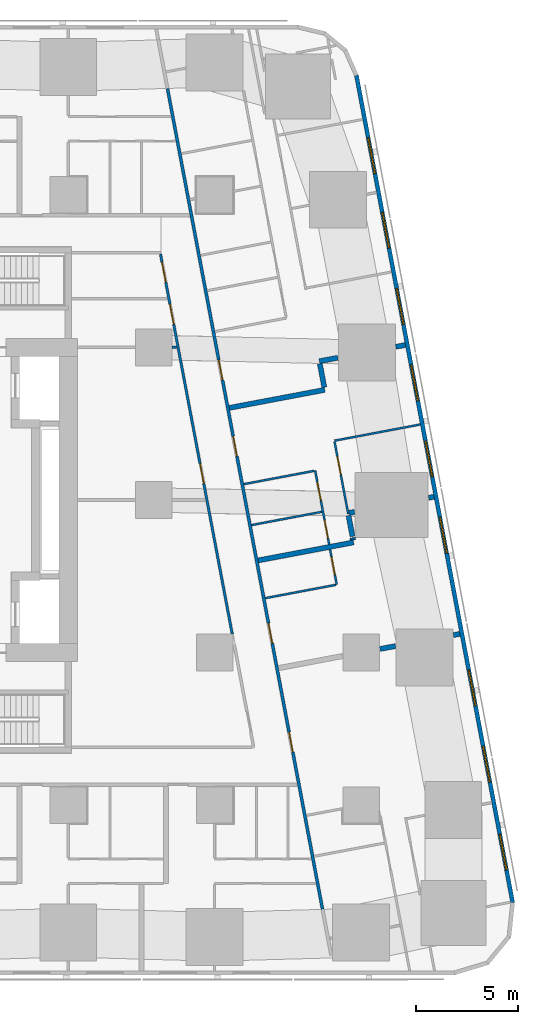
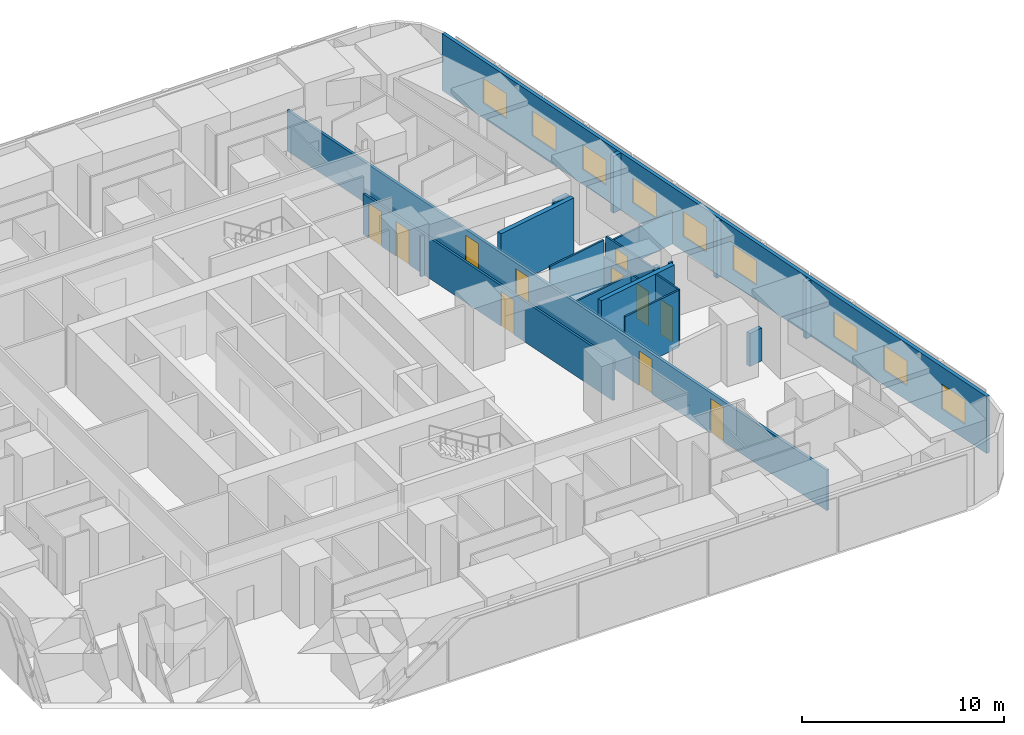
# One storey, part 7 of 15: 22 walls, 11 doors, 9 windows, 20 openings.
"""IFC4 building model written with IfcOpenShell, lengths in metres."""

from ifc_helpers import new_model, si_unit, direction, frame, frame_2d, origin, place, context, subcontext, project, spatial, rectangle, extrude, material, layer, layer_set, type_object, element, fill, save


model = new_model("IFC4")

# Units and contexts
model_context = context("Model", 3, precision=1e-05, world=origin(), true_north=direction((0.0, 1.0)))
body_context = subcontext(model_context, "Body", "Model", "MODEL_VIEW")
ifc_project = project(units=[si_unit("LENGTHUNIT", "METRE"), si_unit("AREAUNIT", "SQUARE_METRE"), si_unit("VOLUMEUNIT", "CUBIC_METRE"), si_unit("PLANEANGLEUNIT", "RADIAN"), si_unit("MASSUNIT", "GRAM", prefix="KILO")], contexts=[model_context])

# Site, building, storey
site_placement = place(None, origin())
site = spatial("IfcSite", under=ifc_project, at=site_placement, CompositionType="ELEMENT")
building_placement = place(site_placement, origin())
building = spatial("IfcBuilding", under=site, at=building_placement, Name="Sheger Commons Tower", CompositionType="ELEMENT")
storey_placement = place(building_placement, frame((0.0, 0.0, 68.75)))
storey = spatial("IfcBuildingStorey", under=building, at=storey_placement, Name="L17", CompositionType="ELEMENT", Elevation=68.75)

# Wall, openings, doors
ifc_material_1 = material(Name="Hollow concrete block masonry, skimmed both sides", Category="masonry")
ifc_layer_1 = layer(ifc_material_1, 0.14990234375)
ifc_layer_set_1 = layer_set([ifc_layer_1], Name="CORRIDOR WALL 150")
wall_type_1 = type_object("IfcWallType", Name="CORRIDOR WALL 150", PredefinedType="SOLIDWALL", material=ifc_layer_set_1)
wall_1_placement = place(storey_placement, frame((33.679931640625, 42.722900390625, 0.0), z_axis=(0.0, 0.0, 1.0), x_axis=(0.185624129307, -0.98262082342, 0.0)))
wall_1 = element("IfcWall", 1, at=wall_1_placement, inside=storey, type_object=wall_type_1, Name="Corridor wall L17", PredefinedType="SOLIDWALL", context=body_context, shape_type="SweptSolid", body=[
    extrude(rectangle(XDim=41.05126953125, YDim=0.14990234375, at=frame_2d((20.525634765625, 0.0))), origin(), (0.0, 0.0, 1.0), 2.449951171875),
])
opening_1_placement = place(wall_1_placement, frame((13.576904296875, 0.0, 0.0)))
opening_1 = element("IfcOpeningElement", 2, at=opening_1_placement, cuts=wall_1, Name="Opening D1", PredefinedType="OPENING", context=body_context, shape_type="SweptSolid", body=[
    extrude(rectangle(XDim=1.0, YDim=2.10009765625, at=frame_2d((0.5, 1.050048828125))), frame((0.0, 0.0849609375, 0.0), z_axis=(0.0, -1.0, 0.0), x_axis=(1.0, 0.0, 0.0)), (0.0, 0.0, 1.0), 0.169921875),
])
opening_2_placement = place(wall_1_placement, frame((17.39404296875, 0.0, 0.0)))
opening_2 = element("IfcOpeningElement", 3, at=opening_2_placement, cuts=wall_1, Name="Opening D1", PredefinedType="OPENING", context=body_context, shape_type="SweptSolid", body=[
    extrude(rectangle(XDim=1.0, YDim=2.10009765625, at=frame_2d((0.5, 1.050048828125))), frame((0.0, 0.0849609375, 0.0), z_axis=(0.0, -1.0, 0.0), x_axis=(1.0, 0.0, 0.0)), (0.0, 0.0, 1.0), 0.169921875),
])
opening_3_placement = place(wall_1_placement, frame((26.758056640625, 0.0, 0.0)))
opening_3 = element("IfcOpeningElement", 4, at=opening_3_placement, cuts=wall_1, Name="Opening D1", PredefinedType="OPENING", context=body_context, shape_type="SweptSolid", body=[
    extrude(rectangle(XDim=1.0, YDim=2.10009765625, at=frame_2d((0.5, 1.050048828125))), frame((0.0, 0.0849609375, 0.0), z_axis=(0.0, -1.0, 0.0), x_axis=(1.0, 0.0, 0.0)), (0.0, 0.0, 1.0), 0.169921875),
])
opening_4_placement = place(wall_1_placement, frame((32.193115234375, 0.0, 0.0)))
opening_4 = element("IfcOpeningElement", 5, at=opening_4_placement, cuts=wall_1, Name="Opening D1", PredefinedType="OPENING", context=body_context, shape_type="SweptSolid", body=[
    extrude(rectangle(XDim=1.0, YDim=2.10009765625, at=frame_2d((0.5, 1.050048828125))), frame((0.0, 0.0849609375, 0.0), z_axis=(0.0, -1.0, 0.0), x_axis=(1.0, 0.0, 0.0)), (0.0, 0.0, 1.0), 0.169921875),
])
ifc_material_2 = material(Name="Steel door set, fire rated", Category="steel")
door_type_1 = type_object("IfcDoorType", Name="FLAT ENTRANCE DOOR 1000x2100", OperationType="NOTDEFINED", PredefinedType="DOOR", material=ifc_material_2)
door_1_placement = place(opening_1_placement, origin())
door_1 = element("IfcDoor", 6, at=door_1_placement, inside=storey, type_object=door_type_1, Name="Flat entrance door", OperationType="SINGLE_SWING_LEFT", OverallHeight=2.10009765625, OverallWidth=1.0, PredefinedType="DOOR", context=body_context, shape_type="SweptSolid", body=[
    extrude(rectangle(XDim=1.0, YDim=2.10009765625, at=frame_2d((0.5, 1.050048828125))), frame((0.0, 0.02490234375, 0.0), z_axis=(0.0, -1.0, 0.0), x_axis=(1.0, 0.0, 0.0)), (0.0, 0.0, 1.0), 0.050048828125),
])
fill(opening_1, door_1)
door_2_placement = place(opening_2_placement, origin())
door_2 = element("IfcDoor", 7, at=door_2_placement, inside=storey, type_object=door_type_1, Name="Flat entrance door", OperationType="SINGLE_SWING_LEFT", OverallHeight=2.10009765625, OverallWidth=1.0, PredefinedType="DOOR", context=body_context, shape_type="SweptSolid", body=[
    extrude(rectangle(XDim=1.0, YDim=2.10009765625, at=frame_2d((0.5, 1.050048828125))), frame((0.0, 0.02490234375, 0.0), z_axis=(0.0, -1.0, 0.0), x_axis=(1.0, 0.0, 0.0)), (0.0, 0.0, 1.0), 0.050048828125),
])
fill(opening_2, door_2)
door_3_placement = place(opening_3_placement, origin())
door_3 = element("IfcDoor", 8, at=door_3_placement, inside=storey, type_object=door_type_1, Name="Flat entrance door", OperationType="SINGLE_SWING_RIGHT", OverallHeight=2.10009765625, OverallWidth=1.0, PredefinedType="DOOR", context=body_context, shape_type="SweptSolid", body=[
    extrude(rectangle(XDim=1.0, YDim=2.10009765625, at=frame_2d((0.5, 1.050048828125))), frame((0.0, 0.02490234375, 0.0), z_axis=(0.0, -1.0, 0.0), x_axis=(1.0, 0.0, 0.0)), (0.0, 0.0, 1.0), 0.050048828125),
])
fill(opening_3, door_3)
door_4_placement = place(opening_4_placement, origin())
door_4 = element("IfcDoor", 9, at=door_4_placement, inside=storey, type_object=door_type_1, Name="Flat entrance door", OperationType="SINGLE_SWING_RIGHT", OverallHeight=2.10009765625, OverallWidth=1.0, PredefinedType="DOOR", context=body_context, shape_type="SweptSolid", body=[
    extrude(rectangle(XDim=1.0, YDim=2.10009765625, at=frame_2d((0.5, 1.050048828125))), frame((0.0, 0.02490234375, 0.0), z_axis=(0.0, -1.0, 0.0), x_axis=(1.0, 0.0, 0.0)), (0.0, 0.0, 1.0), 0.050048828125),
])
fill(opening_4, door_4)

# Walls
ifc_material_3 = material(Name="Dense concrete block masonry, plastered both sides (separating wall between flats)", Category="masonry")
ifc_layer_2 = layer(ifc_material_3, 0.25)
ifc_layer_set_2 = layer_set([ifc_layer_2], Name="DEMISING WALL 250")
wall_type_2 = type_object("IfcWallType", Name="DEMISING WALL 250", PredefinedType="SOLIDWALL", material=ifc_layer_set_2)
wall_2_placement = place(storey_placement, frame((45.3720703125, 30.12109375, 0.0), z_axis=(0.0, 0.0, 1.0), x_axis=(-0.982352019699, -0.187041464366, 0.0)))
element("IfcWall", 10, at=wall_2_placement, inside=storey, type_object=wall_type_2, Name="Demising wall L17", PredefinedType="SOLIDWALL", context=body_context, shape_type="SweptSolid", body=[
    extrude(rectangle(XDim=0.476318359375, YDim=0.25, at=frame_2d((0.23828125, 0.0))), origin(), (0.0, 0.0, 1.0), 3.449951171875),
])
wall_3_placement = place(storey_placement, frame((42.055908203125, 29.493896484375, 0.0), z_axis=(0.0, 0.0, 1.0), x_axis=(-0.982587178881, -0.185802141803, 0.0)))
element("IfcWall", 11, at=wall_3_placement, inside=storey, type_object=wall_type_2, Name="Demising wall L17", PredefinedType="SOLIDWALL", context=body_context, shape_type="SweptSolid", body=[
    extrude(rectangle(XDim=0.925048828125, YDim=0.25, at=frame_2d((0.46240234375, 0.0))), origin(), (0.0, 0.0, 1.0), 2.449951171875),
])
wall_4_placement = place(storey_placement, frame((41.4130859375, 27.9150390625, 0.0), z_axis=(0.0, 0.0, 1.0), x_axis=(-0.982635807605, -0.185544791394, 0.0)))
element("IfcWall", 12, at=wall_4_placement, inside=storey, type_object=wall_type_2, Name="Demising wall L17", PredefinedType="SOLIDWALL", context=body_context, shape_type="SweptSolid", body=[
    extrude(rectangle(XDim=4.775146484375, YDim=0.25, at=frame_2d((2.3876953125, 0.0))), origin(), (0.0, 0.0, 1.0), 3.449951171875),
])
wall_5_placement = place(storey_placement, frame((41.169921875, 29.199951171875, 0.0), z_axis=(0.0, 0.0, 1.0), x_axis=(0.185223510709, -0.982696418575, 0.0)))
element("IfcWall", 13, at=wall_5_placement, inside=storey, type_object=wall_type_2, Name="Demising wall L17", PredefinedType="SOLIDWALL", context=body_context, shape_type="SweptSolid", body=[
    extrude(rectangle(XDim=1.182373046875, YDim=0.25, at=frame_2d((0.59130859375, 0.0))), origin(), (0.0, 0.0, 1.0), 2.449951171875),
])
wall_6_placement = place(storey_placement, frame((46.781982421875, 22.656982421875, 0.0), z_axis=(0.0, 0.0, 1.0), x_axis=(-0.982778390997, -0.18478807913, 0.0)))
element("IfcWall", 14, at=wall_6_placement, inside=storey, type_object=wall_type_2, Name="Demising wall L17", PredefinedType="SOLIDWALL", context=body_context, shape_type="SweptSolid", body=[
    extrude(rectangle(XDim=0.265625, YDim=0.25, at=frame_2d((0.1328125, 0.0))), origin(), (0.0, 0.0, 1.0), 3.449951171875),
])
wall_7_placement = place(storey_placement, frame((42.873046875, 21.91796875, 0.0), z_axis=(0.0, 0.0, 1.0), x_axis=(-0.982892522967, -0.184180043152, 0.0)))
element("IfcWall", 15, at=wall_7_placement, inside=storey, type_object=wall_type_2, Name="Demising wall L17", PredefinedType="SOLIDWALL", context=body_context, shape_type="SweptSolid", body=[
    extrude(rectangle(XDim=0.271728515625, YDim=0.25, at=frame_2d((0.1357421875, 0.0))), origin(), (0.0, 0.0, 1.0), 2.449951171875),
])
wall_8_placement = place(storey_placement, frame((42.8291015625, 20.416015625, 0.0), z_axis=(0.0, 0.0, 1.0), x_axis=(-0.982635807605, -0.185544791394, 0.0)))
element("IfcWall", 16, at=wall_8_placement, inside=storey, type_object=wall_type_2, Name="Demising wall L17", PredefinedType="SOLIDWALL", context=body_context, shape_type="SweptSolid", body=[
    extrude(rectangle(XDim=4.775146484375, YDim=0.25, at=frame_2d((2.3876953125, 0.0))), origin(), (0.0, 0.0, 1.0), 3.449951171875),
])
wall_9_placement = place(storey_placement, frame((42.580078125, 21.736083984375, 0.0), z_axis=(0.0, 0.0, 1.0), x_axis=(0.185458925981, -0.982652017132, 0.0)))
element("IfcWall", 17, at=wall_9_placement, inside=storey, type_object=wall_type_2, Name="Demising wall L17", PredefinedType="SOLIDWALL", context=body_context, shape_type="SweptSolid", body=[
    extrude(rectangle(XDim=1.045166015625, YDim=0.25, at=frame_2d((0.5224609375, 0.0))), origin(), (0.0, 0.0, 1.0), 2.449951171875),
])
wall_10_placement = place(storey_placement, frame((42.787109375, 20.638916015625, 0.0), z_axis=(0.0, 0.0, 1.0), x_axis=(0.185013851593, -0.982735913009, 0.0)))
element("IfcWall", 18, at=wall_10_placement, inside=storey, type_object=wall_type_2, Name="Demising wall L17", PredefinedType="SOLIDWALL", context=body_context, shape_type="SweptSolid", body=[
    extrude(rectangle(XDim=0.1015625, YDim=0.25, at=frame_2d((0.05078125, 0.0))), origin(), (0.0, 0.0, 1.0), 3.449951171875),
])
wall_11_placement = place(storey_placement, frame((48.054931640625, 15.9169921875, 0.0), z_axis=(0.0, 0.0, 1.0), x_axis=(-0.982510408223, -0.186207673669, 0.0)))
element("IfcWall", 19, at=wall_11_placement, inside=storey, type_object=wall_type_2, Name="Demising wall L17", PredefinedType="SOLIDWALL", context=body_context, shape_type="SweptSolid", body=[
    extrude(rectangle(XDim=0.322509765625, YDim=0.25, at=frame_2d((0.1611328125, 0.0))), origin(), (0.0, 0.0, 1.0), 3.449951171875),
])
wall_12_placement = place(storey_placement, frame((44.889892578125, 15.319091796875, 0.0), z_axis=(0.0, 0.0, 1.0), x_axis=(-0.982540856152, -0.186046945666, 0.0)))
element("IfcWall", 20, at=wall_12_placement, inside=storey, type_object=wall_type_2, Name="Demising wall L17", PredefinedType="SOLIDWALL", context=body_context, shape_type="SweptSolid", body=[
    extrude(rectangle(XDim=0.779541015625, YDim=0.25, at=frame_2d((0.3896484375, 0.0))), origin(), (0.0, 0.0, 1.0), 2.0),
])

# Wall, openings, windows
ifc_material_4 = material(Name="Rendered concrete block masonry, dark grey", Category="masonry")
ifc_layer_3 = layer(ifc_material_4, 0.199951171875)
ifc_layer_set_3 = layer_set([ifc_layer_3], Name="FACADE WALL 200")
wall_type_3 = type_object("IfcWallType", Name="FACADE WALL 200", PredefinedType="SOLIDWALL", material=ifc_layer_set_3)
wall_13_placement = place(storey_placement, frame((50.653076171875, 2.702880859375, 0.0), z_axis=(0.0, 0.0, 1.0), x_axis=(-0.185612026696, 0.982623109613, 0.0)))
wall_13 = element("IfcWall", 21, at=wall_13_placement, inside=storey, type_object=wall_type_3, Name="Facade wall L17", PredefinedType="SOLIDWALL", context=body_context, shape_type="SweptSolid", body=[
    extrude(rectangle(XDim=41.393310546875, YDim=0.199951171875, at=frame_2d((20.69677734375, 0.0))), origin(), (0.0, 0.0, 1.0), 3.449951171875),
])
opening_5_placement = place(wall_13_placement, frame((1.633056640625, 0.0, 0.89990234375)))
opening_5 = element("IfcOpeningElement", 22, at=opening_5_placement, cuts=wall_13, Name="Opening W2", PredefinedType="OPENING", context=body_context, shape_type="SweptSolid", body=[
    extrude(rectangle(XDim=1.800048828125, YDim=1.5, at=frame_2d((0.89990234375, 0.75))), frame((0.0, 0.10986328125, 0.0), z_axis=(0.0, -1.0, 0.0), x_axis=(1.0, 0.0, 0.0)), (0.0, 0.0, 1.0), 0.219970703125),
])
opening_6_placement = place(wall_13_placement, frame((6.031982421875, 0.0, 0.89990234375)))
opening_6 = element("IfcOpeningElement", 23, at=opening_6_placement, cuts=wall_13, Name="Opening W2", PredefinedType="OPENING", context=body_context, shape_type="SweptSolid", body=[
    extrude(rectangle(XDim=1.800048828125, YDim=1.5, at=frame_2d((0.89990234375, 0.75))), frame((0.0, 0.10986328125, 0.0), z_axis=(0.0, -1.0, 0.0), x_axis=(1.0, 0.0, 0.0)), (0.0, 0.0, 1.0), 0.219970703125),
])
opening_7_placement = place(wall_13_placement, frame((9.847900390625, 0.0, 0.89990234375)))
opening_7 = element("IfcOpeningElement", 24, at=opening_7_placement, cuts=wall_13, Name="Opening W2", PredefinedType="OPENING", context=body_context, shape_type="SweptSolid", body=[
    extrude(rectangle(XDim=1.800048828125, YDim=1.5, at=frame_2d((0.89990234375, 0.75))), frame((0.0, 0.10986328125, 0.0), z_axis=(0.0, -1.0, 0.0), x_axis=(1.0, 0.0, 0.0)), (0.0, 0.0, 1.0), 0.219970703125),
])
opening_8_placement = place(wall_13_placement, frame((17.48095703125, 0.0, 0.89990234375)))
opening_8 = element("IfcOpeningElement", 25, at=opening_8_placement, cuts=wall_13, Name="Opening W2", PredefinedType="OPENING", context=body_context, shape_type="SweptSolid", body=[
    extrude(rectangle(XDim=1.800048828125, YDim=1.5, at=frame_2d((0.89990234375, 0.75))), frame((0.0, 0.10986328125, 0.0), z_axis=(0.0, -1.0, 0.0), x_axis=(1.0, 0.0, 0.0)), (0.0, 0.0, 1.0), 0.219970703125),
])
opening_9_placement = place(wall_13_placement, frame((21.297119140625, 0.0, 0.89990234375)))
opening_9 = element("IfcOpeningElement", 26, at=opening_9_placement, cuts=wall_13, Name="Opening W2", PredefinedType="OPENING", context=body_context, shape_type="SweptSolid", body=[
    extrude(rectangle(XDim=1.800048828125, YDim=1.5, at=frame_2d((0.89990234375, 0.75))), frame((0.0, 0.10986328125, 0.0), z_axis=(0.0, -1.0, 0.0), x_axis=(1.0, 0.0, 0.0)), (0.0, 0.0, 1.0), 0.219970703125),
])
opening_10_placement = place(wall_13_placement, frame((25.113037109375, 0.0, 0.89990234375)))
opening_10 = element("IfcOpeningElement", 27, at=opening_10_placement, cuts=wall_13, Name="Opening W2", PredefinedType="OPENING", context=body_context, shape_type="SweptSolid", body=[
    extrude(rectangle(XDim=1.800048828125, YDim=1.5, at=frame_2d((0.89990234375, 0.75))), frame((0.0, 0.10986328125, 0.0), z_axis=(0.0, -1.0, 0.0), x_axis=(1.0, 0.0, 0.0)), (0.0, 0.0, 1.0), 0.219970703125),
])
opening_11_placement = place(wall_13_placement, frame((28.929931640625, 0.0, 0.89990234375)))
opening_11 = element("IfcOpeningElement", 28, at=opening_11_placement, cuts=wall_13, Name="Opening W2", PredefinedType="OPENING", context=body_context, shape_type="SweptSolid", body=[
    extrude(rectangle(XDim=1.800048828125, YDim=1.5, at=frame_2d((0.89990234375, 0.75))), frame((0.0, 0.10986328125, 0.0), z_axis=(0.0, -1.0, 0.0), x_axis=(1.0, 0.0, 0.0)), (0.0, 0.0, 1.0), 0.219970703125),
])
opening_12_placement = place(wall_13_placement, frame((32.74609375, 0.0, 0.89990234375)))
opening_12 = element("IfcOpeningElement", 29, at=opening_12_placement, cuts=wall_13, Name="Opening W2", PredefinedType="OPENING", context=body_context, shape_type="SweptSolid", body=[
    extrude(rectangle(XDim=1.800048828125, YDim=1.5, at=frame_2d((0.89990234375, 0.75))), frame((0.0, 0.10986328125, 0.0), z_axis=(0.0, -1.0, 0.0), x_axis=(1.0, 0.0, 0.0)), (0.0, 0.0, 1.0), 0.219970703125),
])
opening_13_placement = place(wall_13_placement, frame((36.48095703125, 0.0, 0.89990234375)))
opening_13 = element("IfcOpeningElement", 30, at=opening_13_placement, cuts=wall_13, Name="Opening W2", PredefinedType="OPENING", context=body_context, shape_type="SweptSolid", body=[
    extrude(rectangle(XDim=1.800048828125, YDim=1.5, at=frame_2d((0.89990234375, 0.75))), frame((0.0, 0.10986328125, 0.0), z_axis=(0.0, -1.0, 0.0), x_axis=(1.0, 0.0, 0.0)), (0.0, 0.0, 1.0), 0.219970703125),
])
ifc_material_5 = material(Name="Black aluminium frame, dark tinted double glazing", Category="aluminium")
window_type = type_object("IfcWindowType", Name="WINDOW W2 1800x1500", PartitioningType="SINGLE_PANEL", PredefinedType="WINDOW", material=ifc_material_5)
window_1_placement = place(opening_5_placement, origin())
window_1 = element("IfcWindow", 31, at=window_1_placement, inside=storey, type_object=window_type, Name="Window W2 1800X1500", OverallHeight=1.5, OverallWidth=1.800048828125, PartitioningType="SINGLE_PANEL", PredefinedType="WINDOW", context=body_context, shape_type="SweptSolid", body=[
    extrude(rectangle(XDim=1.800048828125, YDim=1.5, at=frame_2d((0.89990234375, 0.75))), frame((0.0, 0.030029296875, 0.0), z_axis=(0.0, -1.0, 0.0), x_axis=(1.0, 0.0, 0.0)), (0.0, 0.0, 1.0), 0.06005859375),
])
fill(opening_5, window_1)
window_2_placement = place(opening_6_placement, origin())
window_2 = element("IfcWindow", 32, at=window_2_placement, inside=storey, type_object=window_type, Name="Window W2 1800X1500", OverallHeight=1.5, OverallWidth=1.800048828125, PartitioningType="SINGLE_PANEL", PredefinedType="WINDOW", context=body_context, shape_type="SweptSolid", body=[
    extrude(rectangle(XDim=1.800048828125, YDim=1.5, at=frame_2d((0.89990234375, 0.75))), frame((0.0, 0.030029296875, 0.0), z_axis=(0.0, -1.0, 0.0), x_axis=(1.0, 0.0, 0.0)), (0.0, 0.0, 1.0), 0.06005859375),
])
fill(opening_6, window_2)
window_3_placement = place(opening_7_placement, origin())
window_3 = element("IfcWindow", 33, at=window_3_placement, inside=storey, type_object=window_type, Name="Window W2 1800X1500", OverallHeight=1.5, OverallWidth=1.800048828125, PartitioningType="SINGLE_PANEL", PredefinedType="WINDOW", context=body_context, shape_type="SweptSolid", body=[
    extrude(rectangle(XDim=1.800048828125, YDim=1.5, at=frame_2d((0.89990234375, 0.75))), frame((0.0, 0.030029296875, 0.0), z_axis=(0.0, -1.0, 0.0), x_axis=(1.0, 0.0, 0.0)), (0.0, 0.0, 1.0), 0.06005859375),
])
fill(opening_7, window_3)
window_4_placement = place(opening_8_placement, origin())
window_4 = element("IfcWindow", 34, at=window_4_placement, inside=storey, type_object=window_type, Name="Window W2 1800X1500", OverallHeight=1.5, OverallWidth=1.800048828125, PartitioningType="SINGLE_PANEL", PredefinedType="WINDOW", context=body_context, shape_type="SweptSolid", body=[
    extrude(rectangle(XDim=1.800048828125, YDim=1.5, at=frame_2d((0.89990234375, 0.75))), frame((0.0, 0.030029296875, 0.0), z_axis=(0.0, -1.0, 0.0), x_axis=(1.0, 0.0, 0.0)), (0.0, 0.0, 1.0), 0.06005859375),
])
fill(opening_8, window_4)
window_5_placement = place(opening_9_placement, origin())
window_5 = element("IfcWindow", 35, at=window_5_placement, inside=storey, type_object=window_type, Name="Window W2 1800X1500", OverallHeight=1.5, OverallWidth=1.800048828125, PartitioningType="SINGLE_PANEL", PredefinedType="WINDOW", context=body_context, shape_type="SweptSolid", body=[
    extrude(rectangle(XDim=1.800048828125, YDim=1.5, at=frame_2d((0.89990234375, 0.75))), frame((0.0, 0.030029296875, 0.0), z_axis=(0.0, -1.0, 0.0), x_axis=(1.0, 0.0, 0.0)), (0.0, 0.0, 1.0), 0.06005859375),
])
fill(opening_9, window_5)
window_6_placement = place(opening_10_placement, origin())
window_6 = element("IfcWindow", 36, at=window_6_placement, inside=storey, type_object=window_type, Name="Window W2 1800X1500", OverallHeight=1.5, OverallWidth=1.800048828125, PartitioningType="SINGLE_PANEL", PredefinedType="WINDOW", context=body_context, shape_type="SweptSolid", body=[
    extrude(rectangle(XDim=1.800048828125, YDim=1.5, at=frame_2d((0.89990234375, 0.75))), frame((0.0, 0.030029296875, 0.0), z_axis=(0.0, -1.0, 0.0), x_axis=(1.0, 0.0, 0.0)), (0.0, 0.0, 1.0), 0.06005859375),
])
fill(opening_10, window_6)
window_7_placement = place(opening_11_placement, origin())
window_7 = element("IfcWindow", 37, at=window_7_placement, inside=storey, type_object=window_type, Name="Window W2 1800X1500", OverallHeight=1.5, OverallWidth=1.800048828125, PartitioningType="SINGLE_PANEL", PredefinedType="WINDOW", context=body_context, shape_type="SweptSolid", body=[
    extrude(rectangle(XDim=1.800048828125, YDim=1.5, at=frame_2d((0.89990234375, 0.75))), frame((0.0, 0.030029296875, 0.0), z_axis=(0.0, -1.0, 0.0), x_axis=(1.0, 0.0, 0.0)), (0.0, 0.0, 1.0), 0.06005859375),
])
fill(opening_11, window_7)
window_8_placement = place(opening_12_placement, origin())
window_8 = element("IfcWindow", 38, at=window_8_placement, inside=storey, type_object=window_type, Name="Window W2 1800X1500", OverallHeight=1.5, OverallWidth=1.800048828125, PartitioningType="SINGLE_PANEL", PredefinedType="WINDOW", context=body_context, shape_type="SweptSolid", body=[
    extrude(rectangle(XDim=1.800048828125, YDim=1.5, at=frame_2d((0.89990234375, 0.75))), frame((0.0, 0.030029296875, 0.0), z_axis=(0.0, -1.0, 0.0), x_axis=(1.0, 0.0, 0.0)), (0.0, 0.0, 1.0), 0.06005859375),
])
fill(opening_12, window_8)
window_9_placement = place(opening_13_placement, origin())
window_9 = element("IfcWindow", 39, at=window_9_placement, inside=storey, type_object=window_type, Name="Window W2 1800X1500", OverallHeight=1.5, OverallWidth=1.800048828125, PartitioningType="SINGLE_PANEL", PredefinedType="WINDOW", context=body_context, shape_type="SweptSolid", body=[
    extrude(rectangle(XDim=1.800048828125, YDim=1.5, at=frame_2d((0.89990234375, 0.75))), frame((0.0, 0.030029296875, 0.0), z_axis=(0.0, -1.0, 0.0), x_axis=(1.0, 0.0, 0.0)), (0.0, 0.0, 1.0), 0.06005859375),
])
fill(opening_13, window_9)

# Wall, opening, door
ifc_material_6 = material(Name="Gypsum board on steel studs", Category="steel")
ifc_layer_4 = layer(ifc_material_6, 0.10009765625)
ifc_layer_set_4 = layer_set([ifc_layer_4], Name="PARTITION 100")
wall_type_4 = type_object("IfcWallType", Name="PARTITION 100", PredefinedType="PARTITIONING", material=ifc_layer_set_4)
wall_14_placement = place(storey_placement, frame((41.89404296875, 25.365966796875, 0.0), z_axis=(0.0, 0.0, 1.0), x_axis=(0.185611839851, -0.982623144907, 0.0)))
wall_14 = element("IfcWall", 40, at=wall_14_placement, inside=storey, type_object=wall_type_4, Name="Partition L17", PredefinedType="PARTITIONING", context=body_context, shape_type="SweptSolid", body=[
    extrude(rectangle(XDim=3.619873046875, YDim=0.10009765625, at=frame_2d((1.81005859375, 0.0))), origin(), (0.0, 0.0, 1.0), 2.449951171875),
])
opening_14_placement = place(wall_14_placement, frame((0.75, 0.0, 0.0)))
opening_14 = element("IfcOpeningElement", 41, at=opening_14_placement, cuts=wall_14, Name="Opening D2", PredefinedType="OPENING", context=body_context, shape_type="SweptSolid", body=[
    extrude(rectangle(XDim=0.89990234375, YDim=2.10009765625, at=frame_2d((0.449951171875, 1.050048828125))), frame((0.0, 0.06005859375, 0.0), z_axis=(0.0, -1.0, 0.0), x_axis=(1.0, 0.0, 0.0)), (0.0, 0.0, 1.0), 0.1201171875),
])
ifc_material_7 = material(Name="Timber door set", Category="wood")
door_type_2 = type_object("IfcDoorType", Name="INTERNAL DOOR 900x2100", OperationType="NOTDEFINED", PredefinedType="DOOR", material=ifc_material_7)
door_5_placement = place(opening_14_placement, origin())
door_5 = element("IfcDoor", 42, at=door_5_placement, inside=storey, type_object=door_type_2, Name="Main bedroom door", OperationType="SINGLE_SWING_LEFT", OverallHeight=2.10009765625, OverallWidth=0.89990234375, PredefinedType="DOOR", context=body_context, shape_type="SweptSolid", body=[
    extrude(rectangle(XDim=0.89990234375, YDim=2.10009765625, at=frame_2d((0.449951171875, 1.050048828125))), frame((0.0, 0.02490234375, 0.0), z_axis=(0.0, -1.0, 0.0), x_axis=(1.0, 0.0, 0.0)), (0.0, 0.0, 1.0), 0.050048828125),
])
fill(opening_14, door_5)

# Wall, openings, doors
wall_15_placement = place(storey_placement, frame((40.94189453125, 23.943115234375, 0.0), z_axis=(0.0, 0.0, 1.0), x_axis=(0.185632361754, -0.982619268216, 0.0)))
wall_15 = element("IfcWall", 43, at=wall_15_placement, inside=storey, type_object=wall_type_4, Name="Partition L17", PredefinedType="PARTITIONING", context=body_context, shape_type="SweptSolid", body=[
    extrude(rectangle(XDim=3.68505859375, YDim=0.10009765625, at=frame_2d((1.842529296875, 0.0))), origin(), (0.0, 0.0, 1.0), 2.449951171875),
])
opening_15_placement = place(wall_15_placement, frame((0.574951171875, 0.0, 0.0)))
opening_15 = element("IfcOpeningElement", 44, at=opening_15_placement, cuts=wall_15, Name="Opening D2", PredefinedType="OPENING", context=body_context, shape_type="SweptSolid", body=[
    extrude(rectangle(XDim=0.89990234375, YDim=2.10009765625, at=frame_2d((0.449951171875, 1.050048828125))), frame((0.0, 0.06005859375, 0.0), z_axis=(0.0, -1.0, 0.0), x_axis=(1.0, 0.0, 0.0)), (0.0, 0.0, 1.0), 0.1201171875),
])
opening_16_placement = place(wall_15_placement, frame((2.48291015625, 0.0, 0.0)))
opening_16 = element("IfcOpeningElement", 45, at=opening_16_placement, cuts=wall_15, Name="Opening D2", PredefinedType="OPENING", context=body_context, shape_type="SweptSolid", body=[
    extrude(rectangle(XDim=0.89990234375, YDim=2.10009765625, at=frame_2d((0.449951171875, 1.050048828125))), frame((0.0, 0.06005859375, 0.0), z_axis=(0.0, -1.0, 0.0), x_axis=(1.0, 0.0, 0.0)), (0.0, 0.0, 1.0), 0.1201171875),
])
door_6_placement = place(opening_15_placement, origin())
door_6 = element("IfcDoor", 46, at=door_6_placement, inside=storey, type_object=door_type_2, Name="Bathroom door", OperationType="SINGLE_SWING_RIGHT", OverallHeight=2.10009765625, OverallWidth=0.89990234375, PredefinedType="DOOR", context=body_context, shape_type="SweptSolid", body=[
    extrude(rectangle(XDim=0.89990234375, YDim=2.10009765625, at=frame_2d((0.449951171875, 1.050048828125))), frame((0.0, 0.02490234375, 0.0), z_axis=(0.0, -1.0, 0.0), x_axis=(1.0, 0.0, 0.0)), (0.0, 0.0, 1.0), 0.050048828125),
])
fill(opening_15, door_6)
door_7_placement = place(opening_16_placement, origin())
door_7 = element("IfcDoor", 47, at=door_7_placement, inside=storey, type_object=door_type_2, Name="Store door", OperationType="SINGLE_SWING_LEFT", OverallHeight=2.10009765625, OverallWidth=0.89990234375, PredefinedType="DOOR", context=body_context, shape_type="SweptSolid", body=[
    extrude(rectangle(XDim=0.89990234375, YDim=2.10009765625, at=frame_2d((0.449951171875, 1.050048828125))), frame((0.0, 0.02490234375, 0.0), z_axis=(0.0, -1.0, 0.0), x_axis=(1.0, 0.0, 0.0)), (0.0, 0.0, 1.0), 0.050048828125),
])
fill(opening_16, door_7)

# Walls
wall_16_placement = place(storey_placement, frame((46.110107421875, 26.212890625, 0.0), z_axis=(0.0, 0.0, 1.0), x_axis=(-0.982633535512, -0.185556823879, 0.0)))
element("IfcWall", 48, at=wall_16_placement, inside=storey, type_object=wall_type_4, Name="Partition L17", PredefinedType="PARTITIONING", context=body_context, shape_type="SweptSolid", body=[
    extrude(rectangle(XDim=4.2998046875, YDim=0.10009765625, at=frame_2d((2.14990234375, 0.0))), origin(), (0.0, 0.0, 1.0), 2.0),
])
wall_17_placement = place(storey_placement, frame((40.89306640625, 23.93408203125, 0.0), z_axis=(0.0, 0.0, 1.0), x_axis=(-0.982588017646, -0.185797706064, 0.0)))
element("IfcWall", 49, at=wall_17_placement, inside=storey, type_object=wall_type_4, Name="Partition L17", PredefinedType="PARTITIONING", context=body_context, shape_type="SweptSolid", body=[
    extrude(rectangle(XDim=3.525390625, YDim=0.10009765625, at=frame_2d((1.7626953125, 0.0))), origin(), (0.0, 0.0, 1.0), 3.449951171875),
])
wall_18_placement = place(storey_placement, frame((41.27294921875, 21.9189453125, 0.0), z_axis=(0.0, 0.0, 1.0), x_axis=(-0.982636169624, -0.185542874149, 0.0)))
element("IfcWall", 50, at=wall_18_placement, inside=storey, type_object=wall_type_4, Name="Partition L17", PredefinedType="PARTITIONING", context=body_context, shape_type="SweptSolid", body=[
    extrude(rectangle(XDim=3.525146484375, YDim=0.10009765625, at=frame_2d((1.7626953125, 0.0))), origin(), (0.0, 0.0, 1.0), 2.449951171875),
])

# Wall, opening, door
wall_19_placement = place(storey_placement, frame((41.673095703125, 20.070068359375, 0.0), z_axis=(0.0, 0.0, 1.0), x_axis=(0.185783379659, -0.98259072652, 0.0)))
wall_19 = element("IfcWall", 51, at=wall_19_placement, inside=storey, type_object=wall_type_4, Name="Partition L17", PredefinedType="PARTITIONING", context=body_context, shape_type="SweptSolid", body=[
    extrude(rectangle(XDim=1.764892578125, YDim=0.10009765625, at=frame_2d((0.88232421875, 0.0))), origin(), (0.0, 0.0, 1.0), 3.449951171875),
])
opening_17_placement = place(wall_19_placement, frame((0.3740234375, 0.0, 0.0)))
opening_17 = element("IfcOpeningElement", 52, at=opening_17_placement, cuts=wall_19, Name="Opening D2", PredefinedType="OPENING", context=body_context, shape_type="SweptSolid", body=[
    extrude(rectangle(XDim=0.89990234375, YDim=2.10009765625, at=frame_2d((0.449951171875, 1.050048828125))), frame((0.0, 0.06005859375, 0.0), z_axis=(0.0, -1.0, 0.0), x_axis=(1.0, 0.0, 0.0)), (0.0, 0.0, 1.0), 0.1201171875),
])
door_8_placement = place(opening_17_placement, origin())
door_8 = element("IfcDoor", 53, at=door_8_placement, inside=storey, type_object=door_type_2, Name="Shower room door", OperationType="SINGLE_SWING_RIGHT", OverallHeight=2.10009765625, OverallWidth=0.89990234375, PredefinedType="DOOR", context=body_context, shape_type="SweptSolid", body=[
    extrude(rectangle(XDim=0.89990234375, YDim=2.10009765625, at=frame_2d((0.449951171875, 1.050048828125))), frame((0.0, 0.02490234375, 0.0), z_axis=(0.0, -1.0, 0.0), x_axis=(1.0, 0.0, 0.0)), (0.0, 0.0, 1.0), 0.050048828125),
])
fill(opening_17, door_8)

# Wall
wall_20_placement = place(storey_placement, frame((41.951904296875, 18.326904296875, 0.0), z_axis=(0.0, 0.0, 1.0), x_axis=(-0.982648794755, -0.185475998897, 0.0)))
element("IfcWall", 54, at=wall_20_placement, inside=storey, type_object=wall_type_4, Name="Partition L17", PredefinedType="PARTITIONING", context=body_context, shape_type="SweptSolid", body=[
    extrude(rectangle(XDim=3.525146484375, YDim=0.10009765625, at=frame_2d((1.7626953125, 0.0))), origin(), (0.0, 0.0, 1.0), 3.449951171875),
])

# Wall, openings, doors
ifc_material_8 = material(Name="Gypsum board on steel studs, two layers each side, fire rated", Category="steel")
ifc_layer_5 = layer(ifc_material_8, 0.125)
ifc_layer_set_5 = layer_set([ifc_layer_5], Name="SERVICE WALL 125")
wall_type_5 = type_object("IfcWallType", Name="SERVICE WALL 125", PredefinedType="PARTITIONING", material=ifc_layer_set_5)
wall_21_placement = place(storey_placement, frame((36.861083984375, 15.9130859375, 0.0), z_axis=(0.0, 0.0, 1.0), x_axis=(-0.185588307143, 0.982627589808, 0.0)))
wall_21 = element("IfcWall", 55, at=wall_21_placement, inside=storey, type_object=wall_type_5, Name="Service room wall L17", PredefinedType="PARTITIONING", context=body_context, shape_type="SweptSolid", body=[
    extrude(rectangle(XDim=19.0048828125, YDim=0.125, at=frame_2d((9.50244140625, 0.0))), origin(), (0.0, 0.0, 1.0), 2.449951171875),
])
opening_18_placement = place(wall_21_placement, frame((7.527099609375, 0.0, 0.0)))
opening_18 = element("IfcOpeningElement", 56, at=opening_18_placement, cuts=wall_21, Name="Opening D4", PredefinedType="OPENING", context=body_context, shape_type="SweptSolid", body=[
    extrude(rectangle(XDim=1.0, YDim=2.10009765625, at=frame_2d((0.5, 1.050048828125))), frame((0.0, 0.072509765625, 0.0), z_axis=(0.0, -1.0, 0.0), x_axis=(1.0, 0.0, 0.0)), (0.0, 0.0, 1.0), 0.14501953125),
])
opening_19_placement = place(wall_21_placement, frame((15.5, 0.0, 0.0)))
opening_19 = element("IfcOpeningElement", 57, at=opening_19_placement, cuts=wall_21, Name="Opening D4", PredefinedType="OPENING", context=body_context, shape_type="SweptSolid", body=[
    extrude(rectangle(XDim=1.0, YDim=2.10009765625, at=frame_2d((0.5, 1.050048828125))), frame((0.0, 0.072509765625, 0.0), z_axis=(0.0, -1.0, 0.0), x_axis=(1.0, 0.0, 0.0)), (0.0, 0.0, 1.0), 0.14501953125),
])
opening_20_placement = place(wall_21_placement, frame((17.60205078125, 0.0, 0.0)))
opening_20 = element("IfcOpeningElement", 58, at=opening_20_placement, cuts=wall_21, Name="Opening D4", PredefinedType="OPENING", context=body_context, shape_type="SweptSolid", body=[
    extrude(rectangle(XDim=1.0, YDim=2.10009765625, at=frame_2d((0.5, 1.050048828125))), frame((0.0, 0.072509765625, 0.0), z_axis=(0.0, -1.0, 0.0), x_axis=(1.0, 0.0, 0.0)), (0.0, 0.0, 1.0), 0.14501953125),
])
ifc_material_9 = material(Name="Steel door set, fire rated", Category="steel")
door_type_3 = type_object("IfcDoorType", Name="SERVICE DOOR 1000x2100", OperationType="NOTDEFINED", PredefinedType="DOOR", material=ifc_material_9)
door_9_placement = place(opening_18_placement, origin())
door_9 = element("IfcDoor", 59, at=door_9_placement, inside=storey, type_object=door_type_3, Name="Residents' meeting room door", OperationType="SINGLE_SWING_LEFT", OverallHeight=2.10009765625, OverallWidth=1.0, PredefinedType="DOOR", context=body_context, shape_type="SweptSolid", body=[
    extrude(rectangle(XDim=1.0, YDim=2.10009765625, at=frame_2d((0.5, 1.050048828125))), frame((0.0, 0.02490234375, 0.0), z_axis=(0.0, -1.0, 0.0), x_axis=(1.0, 0.0, 0.0)), (0.0, 0.0, 1.0), 0.050048828125),
])
fill(opening_18, door_9)
door_10_placement = place(opening_19_placement, origin())
door_10 = element("IfcDoor", 60, at=door_10_placement, inside=storey, type_object=door_type_3, Name="Residents' store door", OperationType="SINGLE_SWING_RIGHT", OverallHeight=2.10009765625, OverallWidth=1.0, PredefinedType="DOOR", context=body_context, shape_type="SweptSolid", body=[
    extrude(rectangle(XDim=1.0, YDim=2.10009765625, at=frame_2d((0.5, 1.050048828125))), frame((0.0, 0.02490234375, 0.0), z_axis=(0.0, -1.0, 0.0), x_axis=(1.0, 0.0, 0.0)), (0.0, 0.0, 1.0), 0.050048828125),
])
fill(opening_19, door_10)
door_11_placement = place(opening_20_placement, origin())
door_11 = element("IfcDoor", 61, at=door_11_placement, inside=storey, type_object=door_type_3, Name="Caretaker's store door", OperationType="SINGLE_SWING_RIGHT", OverallHeight=2.10009765625, OverallWidth=1.0, PredefinedType="DOOR", context=body_context, shape_type="SweptSolid", body=[
    extrude(rectangle(XDim=1.0, YDim=2.10009765625, at=frame_2d((0.5, 1.050048828125))), frame((0.0, 0.02490234375, 0.0), z_axis=(0.0, -1.0, 0.0), x_axis=(1.0, 0.0, 0.0)), (0.0, 0.0, 1.0), 0.050048828125),
])
fill(opening_20, door_11)

# Wall
wall_22_placement = place(storey_placement, frame((33.90087890625, 30.0, 0.0), z_axis=(0.0, 0.0, 1.0), x_axis=(1.0, 0.0, 0.0)))
element("IfcWall", 62, at=wall_22_placement, inside=storey, type_object=wall_type_5, Name="Service room wall L17", PredefinedType="PARTITIONING", context=body_context, shape_type="SweptSolid", body=[
    extrude(rectangle(XDim=0.22412109375, YDim=0.125, at=frame_2d((0.112060546875, 0.0))), origin(), (0.0, 0.0, 1.0), 2.449951171875),
])

save(model, "model.ifc")
